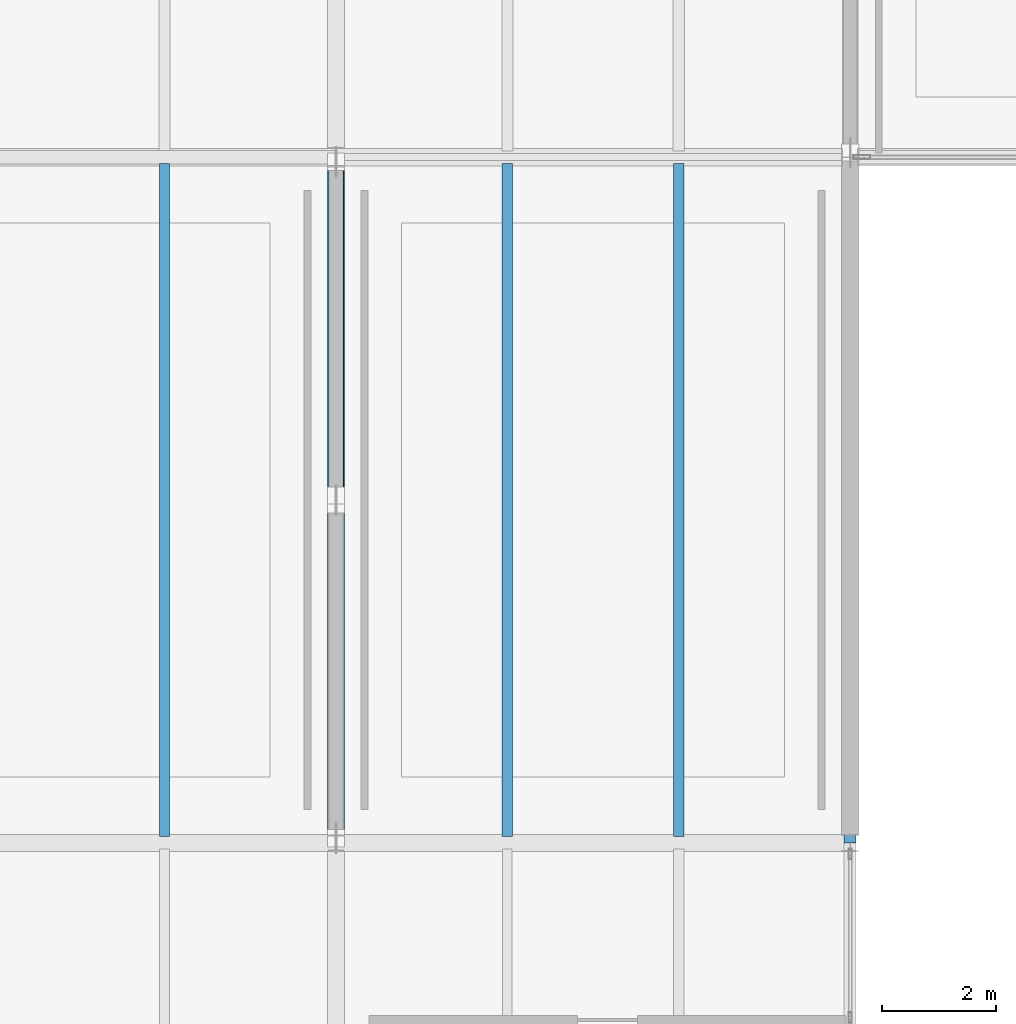
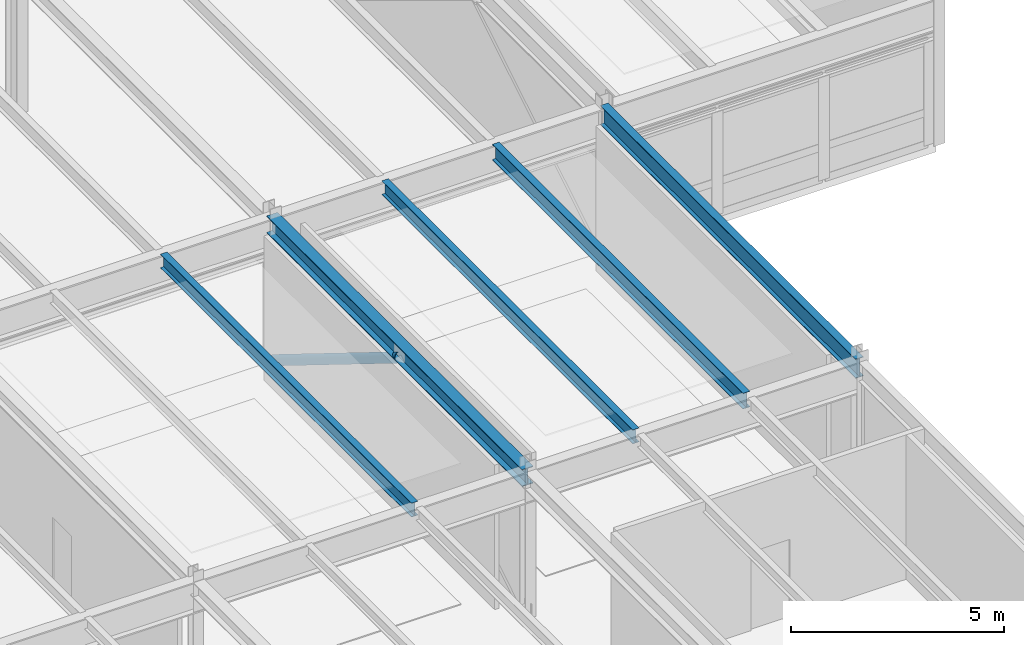
# One storey, part 47 of 127: 5 beams, 1 member.
"""IFC4 building model written with IfcOpenShell, lengths in metres."""

import ifcopenshell
import ifcopenshell.guid

model = None  # the IFC model being written
_history = None  # IfcOwnerHistory: only IFC2X3 demands one
_inside = {}  # id of a spatial element -> (the spatial element, [elements in it])
_under = {}  # id of a project, library or spatial element -> (it, [spatial elements below it])
_declared = {}  # id of a project -> (the project, [libraries it declares])
_typed = {}  # id of a type object -> (the type object, [elements of that type])
_made_of = {}  # id of a material, layer set ... -> (it, [elements and type objects made of it])


def new_model(schema):
    """Start an empty IFC model of exactly this schema.

    Asked for "IFC4X3", IfcOpenShell would pick the latest addendum, in which some entities
    have other attributes; the version numbers below select the first issue.
    IFC2X3 requires an IfcOwnerHistory on every rooted entity: one is made here for all.
    """
    global model, _history
    if schema == "IFC4X3":
        model = ifcopenshell.file(schema_version=(4, 3, 0, 0))
    else:
        model = ifcopenshell.file(schema=schema)
    _inside.clear()
    _under.clear()
    _declared.clear()
    _typed.clear()
    _made_of.clear()
    _history = None
    if model.schema == "IFC2X3":
        org = make("IfcOrganization", Name="unknown")
        user = make(
            "IfcPersonAndOrganization",
            ThePerson=make("IfcPerson", FamilyName="unknown"),
            TheOrganization=org,
        )
        app = make(
            "IfcApplication",
            ApplicationDeveloper=org,
            Version="unknown",
            ApplicationFullName="unknown",
            ApplicationIdentifier="unknown",
        )
        _history = make(
            "IfcOwnerHistory",
            OwningUser=user,
            OwningApplication=app,
            ChangeAction="ADDED",
            CreationDate=0,
        )
    return model


def make(cls, **values):
    """One entity of the class cls with the attributes given. An attribute that is None is left unset."""
    return model.create_entity(
        cls, **{name: value for name, value in values.items() if value is not None}
    )


def rooted(cls, **values):
    """An entity with a GlobalId (a new one), such as an element, a storey or a relation."""
    return make(cls, GlobalId=ifcopenshell.guid.new(), OwnerHistory=_history, **values)


def si_unit(unit_type, name, prefix=None):
    """IfcSIUnit, for example si_unit("LENGTHUNIT", "METRE", prefix="MILLI")."""
    return make("IfcSIUnit", UnitType=unit_type, Prefix=prefix, Name=name)


def assignment(units):
    """IfcUnitAssignment: the units of a project."""
    return None if units is None else make("IfcUnitAssignment", Units=units)


def point(xyz):
    """IfcCartesianPoint."""
    return None if xyz is None else make("IfcCartesianPoint", Coordinates=xyz)


def direction(xyz):
    """IfcDirection."""
    return None if xyz is None else make("IfcDirection", DirectionRatios=xyz)


def frame(location, z_axis=None, x_axis=None):
    """IfcAxis2Placement3D, a coordinate frame: its origin and axes. An axis left out is left unset."""
    return make(
        "IfcAxis2Placement3D",
        Location=point(location),
        Axis=direction(z_axis),
        RefDirection=direction(x_axis),
    )


def frame_2d(location, x_axis=None):
    """IfcAxis2Placement2D, a coordinate frame in the plane: its origin and x axis."""
    return make(
        "IfcAxis2Placement2D", Location=point(location), RefDirection=direction(x_axis)
    )


def origin():
    """The frame at (0, 0, 0) with its axes left unset."""
    return frame((0.0, 0.0, 0.0))


def origin_2d():
    """The frame at (0, 0) in the plane with its x axis left unset."""
    return frame_2d((0.0, 0.0))


def place(relative_to, where):
    """IfcLocalPlacement: puts the frame where relative to a parent placement (None: the world)."""
    return make(
        "IfcLocalPlacement", PlacementRelTo=relative_to, RelativePlacement=where
    )


def context(
    kind, dimensions, precision=None, world=None, true_north=None, identifier=None
):
    """IfcGeometricRepresentationContext, for example the 3D "Model" context."""
    return make(
        "IfcGeometricRepresentationContext",
        ContextIdentifier=identifier,
        ContextType=kind,
        CoordinateSpaceDimension=dimensions,
        Precision=precision,
        WorldCoordinateSystem=world,
        TrueNorth=true_north,
    )


def subcontext(parent, identifier, kind, view, scale=None):
    """IfcGeometricRepresentationSubContext, for example "Body" below "Model"."""
    return make(
        "IfcGeometricRepresentationSubContext",
        ContextIdentifier=identifier,
        ContextType=kind,
        ParentContext=parent,
        TargetScale=scale,
        TargetView=view,
    )


def project(units=None, contexts=None):
    """IfcProject with its units and contexts."""
    return rooted(
        "IfcProject",
        Name="project",
        RepresentationContexts=contexts,
        UnitsInContext=assignment(units),
    )


def spatial(cls, under=None, at=None, **own):
    """A site, building, storey or space (cls), placed at a placement, below another one or the project."""
    s = rooted(cls, ObjectPlacement=at, **own)
    if under is not None:
        _under.setdefault(under.id(), (under, []))[1].append(s)
    return s


def profile(cls, at=None, kind="AREA", **sizes):
    """A parametric profile (cls). Its sizes go by their IFC names, for example OverallWidth=200.0."""
    return make(cls, ProfileType=kind, Position=at, **sizes)


def hollow_circle(**sizes):
    """IfcCircleHollowProfileDef."""
    return profile("IfcCircleHollowProfileDef", **sizes)


def i_section(**sizes):
    """IfcIShapeProfileDef."""
    return profile("IfcIShapeProfileDef", **sizes)


def extrude(swept, where, along, depth):
    """IfcExtrudedAreaSolid: the profile swept, set in the frame where, extruded along a direction by depth."""
    return make(
        "IfcExtrudedAreaSolid",
        SweptArea=swept,
        Position=where,
        ExtrudedDirection=direction(along),
        Depth=depth,
    )


def shape(context_of_items, identifier, shape_type, items):
    """IfcShapeRepresentation: the items that make up one representation, for example the "Body"."""
    return make(
        "IfcShapeRepresentation",
        ContextOfItems=context_of_items,
        RepresentationIdentifier=identifier,
        RepresentationType=shape_type,
        Items=items,
    )


def material(Name=None, Category=None):
    """IfcMaterial."""
    return make("IfcMaterial", Name=Name, Category=Category)


def material_profile(
    of_material, cross_section, Name=None, Category=None, Priority=None
):
    """IfcMaterialProfile: a cross section and its material."""
    return make(
        "IfcMaterialProfile",
        Name=Name,
        Material=of_material,
        Profile=cross_section,
        Priority=Priority,
        Category=Category,
    )


def profile_set(profiles, Name=None, composite=None):
    """IfcMaterialProfileSet."""
    return make(
        "IfcMaterialProfileSet",
        Name=Name,
        MaterialProfiles=profiles,
        CompositeProfile=composite,
    )


def made_of(thing, what):
    """Note that an element or type object is made of a material, layer set ...; save() writes the relation."""
    if what is not None:
        _made_of.setdefault(what.id(), (what, []))[1].append(thing)
    return thing


def type_object(cls, material=None, **own):
    """A type object (cls), such as IfcWallType, which elements share."""
    return made_of(rooted(cls, **own), material)


def element(
    cls,
    number,
    at=None,
    inside=None,
    cuts=None,
    type_object=None,
    material=None,
    context=None,
    identifier="Body",
    shape_type=None,
    held_by="IfcProductDefinitionShape",
    body=None,
    shapes=None,
    **own,
):
    """One element of the class cls, such as IfcWall. Its Tag is "e" and its number.

    at: its placement. inside: the storey or other place that contains it. cuts: it is an
    opening in that element (IfcRelVoidsElement). A single representation is given by context,
    identifier, shape_type and body (its items); several are given by shapes. held_by: the class
    of the entity that holds the representations. save() writes the other relations.
    """
    e = rooted(cls, Tag="e%d" % number, ObjectPlacement=at, **own)
    if body is not None:
        shapes = [shape(context, identifier, shape_type, body)]
    if shapes is not None:
        e.Representation = make(held_by, Representations=shapes)
    if inside is not None:
        _inside.setdefault(inside.id(), (inside, []))[1].append(e)
    if cuts is not None:
        rooted(
            "IfcRelVoidsElement", RelatingBuildingElement=cuts, RelatedOpeningElement=e
        )
    if type_object is not None:
        _typed.setdefault(type_object.id(), (type_object, []))[1].append(e)
    return made_of(e, material)


def aggregate(whole, parts):
    """IfcRelAggregates: a whole, such as a stair, and the parts it consists of."""
    return rooted("IfcRelAggregates", RelatingObject=whole, RelatedObjects=parts)


def save(model, path):
    """Write the relations noted so far, then the file.

    IfcRelAggregates (storeys below a building ...), IfcRelContainedInSpatialStructure (elements
    in a storey), IfcRelDefinesByType, IfcRelAssociatesMaterial and IfcRelDeclares: one each for
    every whole, place, type object, material and project.
    """
    for whole, parts in _under.values():
        aggregate(whole, parts)
    for where, things in _inside.values():
        rooted(
            "IfcRelContainedInSpatialStructure",
            RelatedElements=things,
            RelatingStructure=where,
        )
    for kind, things in _typed.values():
        rooted("IfcRelDefinesByType", RelatedObjects=things, RelatingType=kind)
    for what, things in _made_of.values():
        rooted("IfcRelAssociatesMaterial", RelatedObjects=things, RelatingMaterial=what)
    for by, libraries in _declared.values():
        rooted("IfcRelDeclares", RelatingContext=by, RelatedDefinitions=libraries)
    model.write(path)


model = new_model("IFC4")

# Units and contexts
model_context = context("Model", 3, precision=1e-05, world=origin(), true_north=direction((0.0, 1.0)))
body_context = subcontext(model_context, "Body", "Model", "MODEL_VIEW")
ifc_project = project(units=[si_unit("LENGTHUNIT", "METRE"), si_unit("AREAUNIT", "SQUARE_METRE"), si_unit("VOLUMEUNIT", "CUBIC_METRE"), si_unit("PLANEANGLEUNIT", "RADIAN"), si_unit("MASSUNIT", "GRAM", prefix="KILO")], contexts=[model_context])

# Site, building, storey
site_placement = place(None, origin())
site = spatial("IfcSite", under=ifc_project, at=site_placement, CompositionType="ELEMENT")
building_placement = place(site_placement, origin())
building = spatial("IfcBuilding", under=site, at=building_placement, Name="Montelvaro Courts of Justice", CompositionType="ELEMENT")
storey_placement = place(building_placement, frame((0.0, 0.0, 5.39990234375)))
storey = spatial("IfcBuildingStorey", under=building, at=storey_placement, Name="L01", CompositionType="ELEMENT", Elevation=5.39990234375)

# Beams
ifc_material = material(Name="Steel S355", Category="steel")
ifc_material_profile_1 = material_profile(ifc_material, i_section(OverallWidth=0.300048828125, OverallDepth=0.489990234375, WebThickness=0.011962890625, FlangeThickness=0.02294921875, at=origin_2d()), Name="HEA 500")
ifc_profile_set_1 = profile_set([ifc_material_profile_1], Name="Steel S355")
beam_type_1 = type_object("IfcBeamType", Name="Beam_HEA500", PredefinedType="USERDEFINED", material=ifc_profile_set_1)
beam_1_placement = place(storey_placement, frame((117.0, 54.0, 3.97509765625), z_axis=(0.0, 1.0, 0.0), x_axis=(-1.0, 0.0, 0.0)))
element("IfcBeam", 1, at=beam_1_placement, inside=storey, type_object=beam_type_1, Name="Beam B-19 L01", ObjectType="GIRDER", PredefinedType="USERDEFINED", context=body_context, shape_type="SweptSolid", body=[
    extrude(i_section(OverallWidth=0.300048828125, OverallDepth=0.489990234375, WebThickness=0.011962890625, FlangeThickness=0.02294921875, at=origin_2d()), origin(), (0.0, 0.0, 1.0), 12.0),
])
ifc_material_profile_2 = material_profile(ifc_material, i_section(OverallWidth=0.179931640625, OverallDepth=0.39990234375, WebThickness=0.008544921875, FlangeThickness=0.013427734375, at=origin_2d()), Name="IPE 400")
ifc_profile_set_2 = profile_set([ifc_material_profile_2], Name="Steel S355")
beam_type_2 = type_object("IfcBeamType", Name="Beam_IPE400", PredefinedType="BEAM", material=ifc_profile_set_2)
for number, where, z_axis, x_axis, name in (
    (2, (114.0, 54.110107421875, 4.02001953125), (0.0, 1.0, 0.0), (-1.0, 0.0, 0.0), "Beam B-08 L01"),
    (3, (120.0, 54.110107421875, 4.02001953125), (0.0, 1.0, 0.0), (-1.0, 0.0, 0.0), "Beam B-08 L01"),
):
    element("IfcBeam", number, at=place(storey_placement, frame(where, z_axis=z_axis, x_axis=x_axis)), inside=storey, type_object=beam_type_2, Name=name, PredefinedType="BEAM", context=body_context, shape_type="SweptSolid", body=[
        extrude(i_section(OverallWidth=0.179931640625, OverallDepth=0.39990234375, WebThickness=0.008544921875, FlangeThickness=0.013427734375, at=origin_2d()), origin(), (0.0, 0.0, 1.0), 11.77978515625),
    ])
ifc_material_profile_3 = material_profile(ifc_material, i_section(OverallWidth=0.18994140625, OverallDepth=0.449951171875, WebThickness=0.009521484375, FlangeThickness=0.0146484375, at=origin_2d()), Name="IPE 450")
ifc_profile_set_3 = profile_set([ifc_material_profile_3], Name="Steel S355")
beam_type_3 = type_object("IfcBeamType", Name="Beam_IPE450", PredefinedType="BEAM", material=ifc_profile_set_3)
beam_2_placement = place(storey_placement, frame((123.0, 54.110107421875, 3.9951171875), z_axis=(0.0, 1.0, 0.0), x_axis=(-1.0, 0.0, 0.0)))
element("IfcBeam", 4, at=beam_2_placement, inside=storey, type_object=beam_type_3, Name="Beam B-09 L01", PredefinedType="BEAM", context=body_context, shape_type="SweptSolid", body=[
    extrude(i_section(OverallWidth=0.18994140625, OverallDepth=0.449951171875, WebThickness=0.009521484375, FlangeThickness=0.0146484375, at=origin_2d()), origin(), (0.0, 0.0, 1.0), 11.77978515625),
])
ifc_material_profile_4 = material_profile(ifc_material, i_section(OverallWidth=0.2099609375, OverallDepth=0.550048828125, WebThickness=0.010986328125, FlangeThickness=0.01708984375, at=origin_2d()), Name="IPE 550")
ifc_profile_set_4 = profile_set([ifc_material_profile_4], Name="Steel S355")
beam_type_4 = type_object("IfcBeamType", Name="Beam_IPE550", PredefinedType="BEAM", material=ifc_profile_set_4)
beam_3_placement = place(storey_placement, frame((126.0, 54.0, 3.945068359375), z_axis=(0.0, 1.0, 0.0), x_axis=(-1.0, 0.0, 0.0)))
element("IfcBeam", 5, at=beam_3_placement, inside=storey, type_object=beam_type_4, Name="Beam B-11 L01", PredefinedType="BEAM", context=body_context, shape_type="SweptSolid", body=[
    extrude(i_section(OverallWidth=0.2099609375, OverallDepth=0.550048828125, WebThickness=0.010986328125, FlangeThickness=0.01708984375, at=origin_2d()), origin(), (0.0, 0.0, 1.0), 12.0),
])

# Member
ifc_material_profile_5 = material_profile(ifc_material, hollow_circle(Radius=0.136474609375, WallThickness=0.012451171875, at=origin_2d()), Name="CHS 273x12.5")
ifc_profile_set_5 = profile_set([ifc_material_profile_5], Name="Steel S355")
member_type = type_object("IfcMemberType", Name="Mem_CHS273_Brace", PredefinedType="BRACE", material=ifc_profile_set_5)
member_placement = place(storey_placement, frame((117.0, 65.919921875, 0.080078125), z_axis=(0.0, -0.84993031859, 0.526895106773), x_axis=(1.0, 0.0, 0.0)))
element("IfcMember", 6, at=member_placement, inside=storey, type_object=member_type, Name="Lateral Braced Frame CBF4 Diagonal 2 (L01)", PredefinedType="BRACE", context=body_context, shape_type="SweptSolid", body=[
    extrude(hollow_circle(Radius=0.136474609375, WallThickness=0.012451171875, at=origin_2d()), origin(), (0.0, 0.0, 1.0), 6.965087890625),
])

save(model, "model.ifc")
